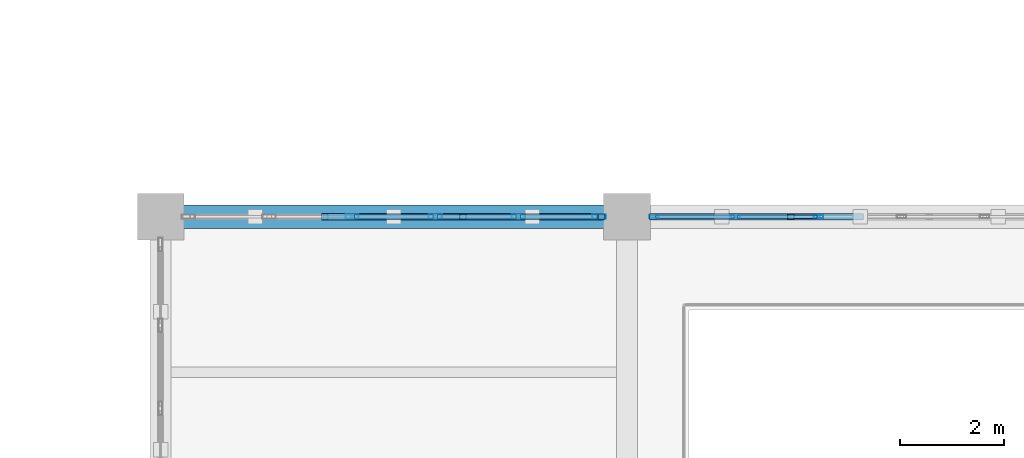
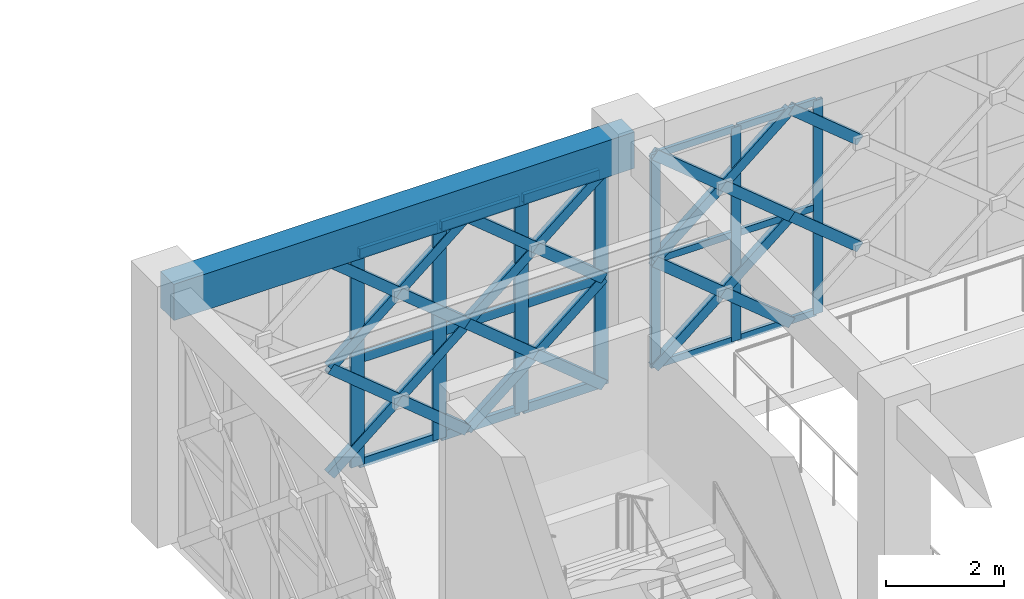
# One storey, part 59 of 155: 42 members, 1 beam, 2 elements without a shape of their own.
"""IFC4 building model written with IfcOpenShell, lengths in metres."""

from ifc_helpers import new_model, si_unit, direction, frame, origin, origin_2d, place, context, subcontext, project, spatial, rectangle, hollow_rectangle, extrude, material, material_profile, profile_set, type_object, element, aggregate, save


model = new_model("IFC4")

# Units and contexts
model_context = context("Model", 3, precision=1e-05, world=origin(), true_north=direction((0.0, 1.0)))
body_context = subcontext(model_context, "Body", "Model", "MODEL_VIEW")
ifc_project = project(units=[si_unit("LENGTHUNIT", "METRE"), si_unit("AREAUNIT", "SQUARE_METRE"), si_unit("VOLUMEUNIT", "CUBIC_METRE"), si_unit("PLANEANGLEUNIT", "RADIAN"), si_unit("MASSUNIT", "GRAM", prefix="KILO")], contexts=[model_context])

# Site, building, storey
site_placement = place(None, origin())
site = spatial("IfcSite", under=ifc_project, at=site_placement, CompositionType="ELEMENT")
building_placement = place(site_placement, origin())
building = spatial("IfcBuilding", under=site, at=building_placement, Name="Haizhuo Lancet Aquarium", CompositionType="ELEMENT")
storey_placement = place(building_placement, frame((0.0, 0.0, 10.800048828125)))
storey = spatial("IfcBuildingStorey", under=building, at=storey_placement, Name="L02", CompositionType="ELEMENT", Elevation=10.800048828125)

# Beam
ifc_material_1 = material(Name="Concrete C40/50", Category="concrete")
ifc_material_profile_1 = material_profile(ifc_material_1, rectangle(XDim=0.449951171875, YDim=0.75, at=origin_2d()), Name="RC-BM 450x750")
ifc_profile_set_1 = profile_set([ifc_material_profile_1], Name="Concrete C40/50")
beam_type = type_object("IfcBeamType", Name="BM-RC-450x750", PredefinedType="BEAM", material=ifc_profile_set_1)
beam_placement = place(storey_placement, frame((27.0, -9.0, 4.784912109375), z_axis=(1.0, 0.0, 0.0), x_axis=(0.0, 1.0, 0.0)))
element("IfcBeam", 1, at=beam_placement, inside=storey, type_object=beam_type, Name="L02 V3 primary girder BM-L02-V3-006", PredefinedType="BEAM", context=body_context, shape_type="SweptSolid", body=[
    extrude(rectangle(XDim=0.449951171875, YDim=0.75, at=origin_2d()), origin(), (0.0, 0.0, 1.0), 9.0),
])

# Curtain wall, members
ifc_material_2 = material(Name="Aluminium 6063-T6", Category="aluminium")
curtain_wall_type = type_object("IfcCurtainWallType", Name="CWO-8010x4410", PredefinedType="NOTDEFINED", material=ifc_material_2)
curtain_wall_1_placement = place(storey_placement, origin())
curtain_wall_1 = element("IfcCurtainWall", 2, at=curtain_wall_1_placement, inside=storey, type_object=curtain_wall_type, Name="L02 curtain wall CW-V3-L02-052", PredefinedType="NOTDEFINED")
ifc_material_profile_2 = material_profile(ifc_material_2, hollow_rectangle(XDim=0.06494140625, YDim=0.179931640625, WallThickness=0.00390625, at=origin_2d()), Name="ALU-M 65x180x4")
ifc_profile_set_2 = profile_set([ifc_material_profile_2], Name="Aluminium 6063-T6")
member_type_1 = type_object("IfcMemberType", Name="CW-MUL-1", PredefinedType="MULLION", material=ifc_profile_set_2)
member_1_placement = place(storey_placement, frame((36.527099609375, -9.0, 0.0), z_axis=(0.0, 0.0, 1.0), x_axis=(0.0, 1.0, 0.0)))
member_1 = element("IfcMember", 3, at=member_1_placement, type_object=member_type_1, Name="CWO-80x44 mullion 1", PredefinedType="MULLION", context=body_context, shape_type="SweptSolid", body=[
    extrude(hollow_rectangle(XDim=0.06494140625, YDim=0.179931640625, WallThickness=0.00390625, at=origin_2d()), origin(), (0.0, 0.0, 1.0), 4.409912109375),
])
member_2_placement = place(storey_placement, frame((38.096923828125, -9.0, 0.0), z_axis=(0.0, 0.0, 1.0), x_axis=(0.0, 1.0, 0.0)))
member_2 = element("IfcMember", 4, at=member_2_placement, type_object=member_type_1, Name="CWO-80x44 mullion 2", PredefinedType="MULLION", context=body_context, shape_type="SweptSolid", body=[
    extrude(hollow_rectangle(XDim=0.06494140625, YDim=0.179931640625, WallThickness=0.00390625, at=origin_2d()), origin(), (0.0, 0.0, 1.0), 4.409912109375),
])
member_3_placement = place(storey_placement, frame((39.698974609375, -9.0, 0.0), z_axis=(0.0, 0.0, 1.0), x_axis=(0.0, 1.0, 0.0)))
member_3 = element("IfcMember", 5, at=member_3_placement, type_object=member_type_1, Name="CWO-80x44 mullion 3", PredefinedType="MULLION", context=body_context, shape_type="SweptSolid", body=[
    extrude(hollow_rectangle(XDim=0.06494140625, YDim=0.179931640625, WallThickness=0.00390625, at=origin_2d()), origin(), (0.0, 0.0, 1.0), 4.409912109375),
])

curtain_wall_2_placement = place(storey_placement, origin())
curtain_wall_2 = element("IfcCurtainWall", 6, at=curtain_wall_2_placement, inside=storey, type_object=curtain_wall_type, Name="L02 curtain wall CW-V3-L02-051", PredefinedType="NOTDEFINED")
ifc_material_profile_3 = material_profile(ifc_material_2, hollow_rectangle(XDim=0.080078125, YDim=0.260009765625, WallThickness=0.0048828125, at=origin_2d()), Name="ALU-M 80x260x5")
ifc_profile_set_3 = profile_set([ifc_material_profile_3], Name="Aluminium 6063-T6")
member_type_2 = type_object("IfcMemberType", Name="CW-MUL-3", PredefinedType="MULLION", material=ifc_profile_set_3)
member_4_placement = place(storey_placement, frame((30.698974609375, -9.0, 0.0), z_axis=(0.0, 0.0, 1.0), x_axis=(0.0, 1.0, 0.0)))
member_4 = element("IfcMember", 7, at=member_4_placement, type_object=member_type_2, Name="CWO-80x44 mullion 3", PredefinedType="MULLION", context=body_context, shape_type="SweptSolid", body=[
    extrude(hollow_rectangle(XDim=0.080078125, YDim=0.260009765625, WallThickness=0.0048828125, at=origin_2d()), origin(), (0.0, 0.0, 1.0), 4.409912109375),
])
member_5_placement = place(storey_placement, frame((32.301025390625, -9.0, 0.0), z_axis=(0.0, 0.0, 1.0), x_axis=(0.0, 1.0, 0.0)))
member_5 = element("IfcMember", 8, at=member_5_placement, type_object=member_type_2, Name="CWO-80x44 mullion 4", PredefinedType="MULLION", context=body_context, shape_type="SweptSolid", body=[
    extrude(hollow_rectangle(XDim=0.080078125, YDim=0.260009765625, WallThickness=0.0048828125, at=origin_2d()), origin(), (0.0, 0.0, 1.0), 4.409912109375),
])
member_6_placement = place(storey_placement, frame((33.903076171875, -9.0, 0.0), z_axis=(0.0, 0.0, 1.0), x_axis=(0.0, 1.0, 0.0)))
member_6 = element("IfcMember", 9, at=member_6_placement, type_object=member_type_2, Name="CWO-80x44 mullion 5", PredefinedType="MULLION", context=body_context, shape_type="SweptSolid", body=[
    extrude(hollow_rectangle(XDim=0.080078125, YDim=0.260009765625, WallThickness=0.0048828125, at=origin_2d()), origin(), (0.0, 0.0, 1.0), 4.409912109375),
])
member_7_placement = place(storey_placement, frame((35.465087890625, -9.0, 0.0), z_axis=(0.0, 0.0, 1.0), x_axis=(0.0, 1.0, 0.0)))
member_7 = element("IfcMember", 10, at=member_7_placement, type_object=member_type_2, Name="CWO-80x44 mullion 6", PredefinedType="MULLION", context=body_context, shape_type="SweptSolid", body=[
    extrude(hollow_rectangle(XDim=0.080078125, YDim=0.260009765625, WallThickness=0.0048828125, at=origin_2d()), origin(), (0.0, 0.0, 1.0), 4.409912109375),
])

# Member
ifc_material_profile_4 = material_profile(ifc_material_2, hollow_rectangle(XDim=0.06494140625, YDim=0.139892578125, WallThickness=0.00390625, at=origin_2d()), Name="ALU-T 65x140x4")
ifc_profile_set_4 = profile_set([ifc_material_profile_4], Name="Aluminium 6063-T6")
member_type_3 = type_object("IfcMemberType", Name="CW-TRN-1", PredefinedType="NOTDEFINED", material=ifc_profile_set_4)
member_8_placement = place(storey_placement, frame((36.56005859375, -9.0, 0.032958984375), z_axis=(1.0, 0.0, 0.0), x_axis=(0.0, 1.0, 0.0)))
member_8 = element("IfcMember", 11, at=member_8_placement, type_object=member_type_3, Name="CWO-80x44 transom 1.1", ObjectType="TRANSOM", PredefinedType="USERDEFINED", context=body_context, shape_type="SweptSolid", body=[
    extrude(hollow_rectangle(XDim=0.06494140625, YDim=0.139892578125, WallThickness=0.00390625, at=origin_2d()), origin(), (0.0, 0.0, 1.0), 1.50390625),
])

member_9_placement = place(storey_placement, frame((36.56005859375, -9.0, 2.204833984375), z_axis=(1.0, 0.0, 0.0), x_axis=(0.0, 1.0, 0.0)))
member_9 = element("IfcMember", 12, at=member_9_placement, type_object=member_type_3, Name="CWO-80x44 transom 1.2", ObjectType="TRANSOM", PredefinedType="USERDEFINED", context=body_context, shape_type="SweptSolid", body=[
    extrude(hollow_rectangle(XDim=0.06494140625, YDim=0.139892578125, WallThickness=0.00390625, at=origin_2d()), origin(), (0.0, 0.0, 1.0), 1.50390625),
])

member_10_placement = place(storey_placement, frame((36.56005859375, -9.0, 4.3779296875), z_axis=(1.0, 0.0, 0.0), x_axis=(0.0, 1.0, 0.0)))
member_10 = element("IfcMember", 13, at=member_10_placement, type_object=member_type_3, Name="CWO-80x44 transom 1.3", ObjectType="TRANSOM", PredefinedType="USERDEFINED", context=body_context, shape_type="SweptSolid", body=[
    extrude(hollow_rectangle(XDim=0.06494140625, YDim=0.139892578125, WallThickness=0.00390625, at=origin_2d()), origin(), (0.0, 0.0, 1.0), 1.50390625),
])

member_11_placement = place(storey_placement, frame((38.1298828125, -9.0, 0.032958984375), z_axis=(1.0, 0.0, 0.0), x_axis=(0.0, 1.0, 0.0)))
member_11 = element("IfcMember", 14, at=member_11_placement, type_object=member_type_3, Name="CWO-80x44 transom 2.1", ObjectType="TRANSOM", PredefinedType="USERDEFINED", context=body_context, shape_type="SweptSolid", body=[
    extrude(hollow_rectangle(XDim=0.06494140625, YDim=0.139892578125, WallThickness=0.00390625, at=origin_2d()), origin(), (0.0, 0.0, 1.0), 1.5361328125),
])

member_12_placement = place(storey_placement, frame((38.1298828125, -9.0, 2.204833984375), z_axis=(1.0, 0.0, 0.0), x_axis=(0.0, 1.0, 0.0)))
member_12 = element("IfcMember", 15, at=member_12_placement, type_object=member_type_3, Name="CWO-80x44 transom 2.2", ObjectType="TRANSOM", PredefinedType="USERDEFINED", context=body_context, shape_type="SweptSolid", body=[
    extrude(hollow_rectangle(XDim=0.06494140625, YDim=0.139892578125, WallThickness=0.00390625, at=origin_2d()), origin(), (0.0, 0.0, 1.0), 1.5361328125),
])

member_13_placement = place(storey_placement, frame((38.1298828125, -9.0, 4.3779296875), z_axis=(1.0, 0.0, 0.0), x_axis=(0.0, 1.0, 0.0)))
member_13 = element("IfcMember", 16, at=member_13_placement, type_object=member_type_3, Name="CWO-80x44 transom 2.3", ObjectType="TRANSOM", PredefinedType="USERDEFINED", context=body_context, shape_type="SweptSolid", body=[
    extrude(hollow_rectangle(XDim=0.06494140625, YDim=0.139892578125, WallThickness=0.00390625, at=origin_2d()), origin(), (0.0, 0.0, 1.0), 1.5361328125),
])

aggregate(curtain_wall_1, [member_1, member_2, member_3, member_8, member_9, member_10, member_11, member_12, member_13])

ifc_material_profile_5 = material_profile(ifc_material_2, hollow_rectangle(XDim=0.080078125, YDim=0.18994140625, WallThickness=0.0048828125, at=origin_2d()), Name="ALU-T 80x190x5")
ifc_profile_set_5 = profile_set([ifc_material_profile_5], Name="Aluminium 6063-T6")
member_type_4 = type_object("IfcMemberType", Name="CW-TRN-3", PredefinedType="NOTDEFINED", material=ifc_profile_set_5)
member_14_placement = place(storey_placement, frame((30.739013671875, -9.0, 0.0400390625), z_axis=(1.0, 0.0, 0.0), x_axis=(0.0, 1.0, 0.0)))
member_14 = element("IfcMember", 17, at=member_14_placement, type_object=member_type_4, Name="CWO-80x44 transom 3.1", ObjectType="TRANSOM", PredefinedType="USERDEFINED", context=body_context, shape_type="SweptSolid", body=[
    extrude(hollow_rectangle(XDim=0.080078125, YDim=0.18994140625, WallThickness=0.0048828125, at=origin_2d()), origin(), (0.0, 0.0, 1.0), 1.52197265625),
])

member_15_placement = place(storey_placement, frame((30.739013671875, -9.0, 2.204833984375), z_axis=(1.0, 0.0, 0.0), x_axis=(0.0, 1.0, 0.0)))
member_15 = element("IfcMember", 18, at=member_15_placement, type_object=member_type_4, Name="CWO-80x44 transom 3.2", ObjectType="TRANSOM", PredefinedType="USERDEFINED", context=body_context, shape_type="SweptSolid", body=[
    extrude(hollow_rectangle(XDim=0.080078125, YDim=0.18994140625, WallThickness=0.0048828125, at=origin_2d()), origin(), (0.0, 0.0, 1.0), 1.52197265625),
])

member_16_placement = place(storey_placement, frame((30.739013671875, -9.0, 4.369873046875), z_axis=(1.0, 0.0, 0.0), x_axis=(0.0, 1.0, 0.0)))
member_16 = element("IfcMember", 19, at=member_16_placement, type_object=member_type_4, Name="CWO-80x44 transom 3.3", ObjectType="TRANSOM", PredefinedType="USERDEFINED", context=body_context, shape_type="SweptSolid", body=[
    extrude(hollow_rectangle(XDim=0.080078125, YDim=0.18994140625, WallThickness=0.0048828125, at=origin_2d()), origin(), (0.0, 0.0, 1.0), 1.52197265625),
])

member_17_placement = place(storey_placement, frame((32.341064453125, -9.0, 0.0400390625), z_axis=(1.0, 0.0, 0.0), x_axis=(0.0, 1.0, 0.0)))
member_17 = element("IfcMember", 20, at=member_17_placement, type_object=member_type_4, Name="CWO-80x44 transom 4.1", ObjectType="TRANSOM", PredefinedType="USERDEFINED", context=body_context, shape_type="SweptSolid", body=[
    extrude(hollow_rectangle(XDim=0.080078125, YDim=0.18994140625, WallThickness=0.0048828125, at=origin_2d()), origin(), (0.0, 0.0, 1.0), 1.52197265625),
])

member_18_placement = place(storey_placement, frame((32.341064453125, -9.0, 2.204833984375), z_axis=(1.0, 0.0, 0.0), x_axis=(0.0, 1.0, 0.0)))
member_18 = element("IfcMember", 21, at=member_18_placement, type_object=member_type_4, Name="CWO-80x44 transom 4.2", ObjectType="TRANSOM", PredefinedType="USERDEFINED", context=body_context, shape_type="SweptSolid", body=[
    extrude(hollow_rectangle(XDim=0.080078125, YDim=0.18994140625, WallThickness=0.0048828125, at=origin_2d()), origin(), (0.0, 0.0, 1.0), 1.52197265625),
])

member_19_placement = place(storey_placement, frame((32.341064453125, -9.0, 4.369873046875), z_axis=(1.0, 0.0, 0.0), x_axis=(0.0, 1.0, 0.0)))
member_19 = element("IfcMember", 22, at=member_19_placement, type_object=member_type_4, Name="CWO-80x44 transom 4.3", ObjectType="TRANSOM", PredefinedType="USERDEFINED", context=body_context, shape_type="SweptSolid", body=[
    extrude(hollow_rectangle(XDim=0.080078125, YDim=0.18994140625, WallThickness=0.0048828125, at=origin_2d()), origin(), (0.0, 0.0, 1.0), 1.52197265625),
])

member_20_placement = place(storey_placement, frame((33.943115234375, -9.0, 0.0400390625), z_axis=(1.0, 0.0, 0.0), x_axis=(0.0, 1.0, 0.0)))
member_20 = element("IfcMember", 23, at=member_20_placement, type_object=member_type_4, Name="CWO-80x44 transom 5.1", ObjectType="TRANSOM", PredefinedType="USERDEFINED", context=body_context, shape_type="SweptSolid", body=[
    extrude(hollow_rectangle(XDim=0.080078125, YDim=0.18994140625, WallThickness=0.0048828125, at=origin_2d()), origin(), (0.0, 0.0, 1.0), 1.48193359375),
])

member_21_placement = place(storey_placement, frame((33.943115234375, -9.0, 2.204833984375), z_axis=(1.0, 0.0, 0.0), x_axis=(0.0, 1.0, 0.0)))
member_21 = element("IfcMember", 24, at=member_21_placement, type_object=member_type_4, Name="CWO-80x44 transom 5.2", ObjectType="TRANSOM", PredefinedType="USERDEFINED", context=body_context, shape_type="SweptSolid", body=[
    extrude(hollow_rectangle(XDim=0.080078125, YDim=0.18994140625, WallThickness=0.0048828125, at=origin_2d()), origin(), (0.0, 0.0, 1.0), 1.48193359375),
])

member_22_placement = place(storey_placement, frame((33.943115234375, -9.0, 4.369873046875), z_axis=(1.0, 0.0, 0.0), x_axis=(0.0, 1.0, 0.0)))
member_22 = element("IfcMember", 25, at=member_22_placement, type_object=member_type_4, Name="CWO-80x44 transom 5.3", ObjectType="TRANSOM", PredefinedType="USERDEFINED", context=body_context, shape_type="SweptSolid", body=[
    extrude(hollow_rectangle(XDim=0.080078125, YDim=0.18994140625, WallThickness=0.0048828125, at=origin_2d()), origin(), (0.0, 0.0, 1.0), 1.48193359375),
])

aggregate(curtain_wall_2, [member_4, member_5, member_6, member_7, member_14, member_15, member_16, member_17, member_18, member_19, member_20, member_21, member_22])

# Members
ifc_material_3 = material(Name="Steel S355", Category="steel")
ifc_material_profile_6 = material_profile(ifc_material_3, hollow_rectangle(XDim=0.1201171875, YDim=0.199951171875, WallThickness=0.008056640625, at=origin_2d()), Name="RHS 120x200x8")
ifc_profile_set_6 = profile_set([ifc_material_profile_6], Name="Steel S355")
member_type_5 = type_object("IfcMemberType", Name="MEM-LB-RHS120x200", PredefinedType="BRACE", material=ifc_profile_set_6)
member_23_placement = place(storey_placement, frame((30.1650390625, -9.0, 0.0), z_axis=(0.771068610934, 0.0, 0.636752068887), x_axis=(0.0, 1.0, 0.0)))
element("IfcMember", 26, at=member_23_placement, inside=storey, type_object=member_type_5, Name="Gothic lancet continuous diagonal brace CW-V3-L02-051 3A", PredefinedType="BRACE", context=body_context, shape_type="SweptSolid", body=[
    extrude(hollow_rectangle(XDim=0.1201171875, YDim=0.199951171875, WallThickness=0.008056640625, at=origin_2d()), origin(), (0.0, 0.0, 1.0), 3.462646484375),
])
member_24_placement = place(storey_placement, frame((32.8349609375, -9.0, 0.0), z_axis=(-0.771172467693, 0.0, 0.63662628368), x_axis=(0.0, -1.0, 0.0)))
element("IfcMember", 27, at=member_24_placement, inside=storey, type_object=member_type_5, Name="Gothic lancet split diagonal brace CW-V3-L02-051 3B1", PredefinedType="BRACE", context=body_context, shape_type="SweptSolid", body=[
    extrude(hollow_rectangle(XDim=0.1201171875, YDim=0.199951171875, WallThickness=0.008056640625, at=origin_2d()), origin(), (0.0, 0.0, 1.0), 1.731201171875),
])
member_25_placement = place(storey_placement, frame((31.5, -9.0, 1.10205078125), z_axis=(-0.77096476164, 0.0, 0.636877803279), x_axis=(0.0, -1.0, 0.0)))
element("IfcMember", 28, at=member_25_placement, inside=storey, type_object=member_type_5, Name="Gothic lancet split diagonal brace CW-V3-L02-051 3B2", PredefinedType="BRACE", context=body_context, shape_type="SweptSolid", body=[
    extrude(hollow_rectangle(XDim=0.1201171875, YDim=0.199951171875, WallThickness=0.008056640625, at=origin_2d()), origin(), (0.0, 0.0, 1.0), 1.7314453125),
])
member_26_placement = place(storey_placement, frame((30.1650390625, -9.0, 2.204833984375), z_axis=(0.771033993673, 0.0, 0.636793985996), x_axis=(0.0, 1.0, 0.0)))
element("IfcMember", 29, at=member_26_placement, inside=storey, type_object=member_type_5, Name="Gothic lancet continuous diagonal brace CW-V3-L02-051 4A", PredefinedType="BRACE", context=body_context, shape_type="SweptSolid", body=[
    extrude(hollow_rectangle(XDim=0.1201171875, YDim=0.199951171875, WallThickness=0.008056640625, at=origin_2d()), origin(), (0.0, 0.0, 1.0), 3.462890625),
])
member_27_placement = place(storey_placement, frame((32.8349609375, -9.0, 2.204833984375), z_axis=(-0.770895532931, 0.0, 0.636961597985), x_axis=(0.0, -1.0, 0.0)))
element("IfcMember", 30, at=member_27_placement, inside=storey, type_object=member_type_5, Name="Gothic lancet split diagonal brace CW-V3-L02-051 4B1", PredefinedType="BRACE", context=body_context, shape_type="SweptSolid", body=[
    extrude(hollow_rectangle(XDim=0.1201171875, YDim=0.199951171875, WallThickness=0.008056640625, at=origin_2d()), origin(), (0.0, 0.0, 1.0), 1.731689453125),
])
member_28_placement = place(storey_placement, frame((31.5, -9.0, 3.307861328125), z_axis=(-0.771172467693, 0.0, 0.63662628368), x_axis=(0.0, -1.0, 0.0)))
element("IfcMember", 31, at=member_28_placement, inside=storey, type_object=member_type_5, Name="Gothic lancet split diagonal brace CW-V3-L02-051 4B2", PredefinedType="BRACE", context=body_context, shape_type="SweptSolid", body=[
    extrude(hollow_rectangle(XDim=0.1201171875, YDim=0.199951171875, WallThickness=0.008056640625, at=origin_2d()), origin(), (0.0, 0.0, 1.0), 1.731201171875),
])
member_29_placement = place(storey_placement, frame((32.8349609375, -9.0, 0.0), z_axis=(0.771068610934, 0.0, 0.636752068887), x_axis=(0.0, 1.0, 0.0)))
element("IfcMember", 32, at=member_29_placement, inside=storey, type_object=member_type_5, Name="Gothic lancet continuous diagonal brace CW-V3-L02-051 5A", PredefinedType="BRACE", context=body_context, shape_type="SweptSolid", body=[
    extrude(hollow_rectangle(XDim=0.1201171875, YDim=0.199951171875, WallThickness=0.008056640625, at=origin_2d()), origin(), (0.0, 0.0, 1.0), 3.462646484375),
])
member_30_placement = place(storey_placement, frame((35.5048828125, -9.0, 0.0), z_axis=(-0.771172467693, 0.0, 0.63662628368), x_axis=(0.0, -1.0, 0.0)))
element("IfcMember", 33, at=member_30_placement, inside=storey, type_object=member_type_5, Name="Gothic lancet split diagonal brace CW-V3-L02-051 5B1", PredefinedType="BRACE", context=body_context, shape_type="SweptSolid", body=[
    extrude(hollow_rectangle(XDim=0.1201171875, YDim=0.199951171875, WallThickness=0.008056640625, at=origin_2d()), origin(), (0.0, 0.0, 1.0), 1.731201171875),
])
member_31_placement = place(storey_placement, frame((34.169921875, -9.0, 1.10205078125), z_axis=(-0.77096476164, 0.0, 0.636877803279), x_axis=(0.0, -1.0, 0.0)))
element("IfcMember", 34, at=member_31_placement, inside=storey, type_object=member_type_5, Name="Gothic lancet split diagonal brace CW-V3-L02-051 5B2", PredefinedType="BRACE", context=body_context, shape_type="SweptSolid", body=[
    extrude(hollow_rectangle(XDim=0.1201171875, YDim=0.199951171875, WallThickness=0.008056640625, at=origin_2d()), origin(), (0.0, 0.0, 1.0), 1.7314453125),
])
member_32_placement = place(storey_placement, frame((32.8349609375, -9.0, 2.204833984375), z_axis=(0.771033993673, 0.0, 0.636793985996), x_axis=(0.0, 1.0, 0.0)))
element("IfcMember", 35, at=member_32_placement, inside=storey, type_object=member_type_5, Name="Gothic lancet continuous diagonal brace CW-V3-L02-051 6A", PredefinedType="BRACE", context=body_context, shape_type="SweptSolid", body=[
    extrude(hollow_rectangle(XDim=0.1201171875, YDim=0.199951171875, WallThickness=0.008056640625, at=origin_2d()), origin(), (0.0, 0.0, 1.0), 3.462890625),
])
member_33_placement = place(storey_placement, frame((35.5048828125, -9.0, 2.204833984375), z_axis=(-0.770895532931, 0.0, 0.636961597985), x_axis=(0.0, -1.0, 0.0)))
element("IfcMember", 36, at=member_33_placement, inside=storey, type_object=member_type_5, Name="Gothic lancet split diagonal brace CW-V3-L02-051 6B1", PredefinedType="BRACE", context=body_context, shape_type="SweptSolid", body=[
    extrude(hollow_rectangle(XDim=0.1201171875, YDim=0.199951171875, WallThickness=0.008056640625, at=origin_2d()), origin(), (0.0, 0.0, 1.0), 1.731689453125),
])
member_34_placement = place(storey_placement, frame((34.169921875, -9.0, 3.307861328125), z_axis=(-0.771172467693, 0.0, 0.63662628368), x_axis=(0.0, -1.0, 0.0)))
element("IfcMember", 37, at=member_34_placement, inside=storey, type_object=member_type_5, Name="Gothic lancet split diagonal brace CW-V3-L02-051 6B2", PredefinedType="BRACE", context=body_context, shape_type="SweptSolid", body=[
    extrude(hollow_rectangle(XDim=0.1201171875, YDim=0.199951171875, WallThickness=0.008056640625, at=origin_2d()), origin(), (0.0, 0.0, 1.0), 1.731201171875),
])
member_35_placement = place(storey_placement, frame((36.4951171875, -9.0, 0.0), z_axis=(0.771068610934, 0.0, 0.636752068887), x_axis=(0.0, 1.0, 0.0)))
element("IfcMember", 38, at=member_35_placement, inside=storey, type_object=member_type_5, Name="Gothic lancet continuous diagonal brace CW-V3-L02-052 1A", PredefinedType="BRACE", context=body_context, shape_type="SweptSolid", body=[
    extrude(hollow_rectangle(XDim=0.1201171875, YDim=0.199951171875, WallThickness=0.008056640625, at=origin_2d()), origin(), (0.0, 0.0, 1.0), 3.462646484375),
])
member_36_placement = place(storey_placement, frame((39.1650390625, -9.0, 0.0), z_axis=(-0.771172467693, 0.0, 0.63662628368), x_axis=(0.0, -1.0, 0.0)))
element("IfcMember", 39, at=member_36_placement, inside=storey, type_object=member_type_5, Name="Gothic lancet split diagonal brace CW-V3-L02-052 1B1", PredefinedType="BRACE", context=body_context, shape_type="SweptSolid", body=[
    extrude(hollow_rectangle(XDim=0.1201171875, YDim=0.199951171875, WallThickness=0.008056640625, at=origin_2d()), origin(), (0.0, 0.0, 1.0), 1.731201171875),
])
member_37_placement = place(storey_placement, frame((37.830078125, -9.0, 1.10205078125), z_axis=(-0.77096476164, 0.0, 0.636877803279), x_axis=(0.0, -1.0, 0.0)))
element("IfcMember", 40, at=member_37_placement, inside=storey, type_object=member_type_5, Name="Gothic lancet split diagonal brace CW-V3-L02-052 1B2", PredefinedType="BRACE", context=body_context, shape_type="SweptSolid", body=[
    extrude(hollow_rectangle(XDim=0.1201171875, YDim=0.199951171875, WallThickness=0.008056640625, at=origin_2d()), origin(), (0.0, 0.0, 1.0), 1.7314453125),
])
member_38_placement = place(storey_placement, frame((36.4951171875, -9.0, 2.204833984375), z_axis=(0.771033993673, 0.0, 0.636793985996), x_axis=(0.0, 1.0, 0.0)))
element("IfcMember", 41, at=member_38_placement, inside=storey, type_object=member_type_5, Name="Gothic lancet continuous diagonal brace CW-V3-L02-052 2A", PredefinedType="BRACE", context=body_context, shape_type="SweptSolid", body=[
    extrude(hollow_rectangle(XDim=0.1201171875, YDim=0.199951171875, WallThickness=0.008056640625, at=origin_2d()), origin(), (0.0, 0.0, 1.0), 3.462890625),
])
member_39_placement = place(storey_placement, frame((39.1650390625, -9.0, 2.204833984375), z_axis=(-0.770895532931, 0.0, 0.636961597985), x_axis=(0.0, -1.0, 0.0)))
element("IfcMember", 42, at=member_39_placement, inside=storey, type_object=member_type_5, Name="Gothic lancet split diagonal brace CW-V3-L02-052 2B1", PredefinedType="BRACE", context=body_context, shape_type="SweptSolid", body=[
    extrude(hollow_rectangle(XDim=0.1201171875, YDim=0.199951171875, WallThickness=0.008056640625, at=origin_2d()), origin(), (0.0, 0.0, 1.0), 1.731689453125),
])
member_40_placement = place(storey_placement, frame((37.830078125, -9.0, 3.307861328125), z_axis=(-0.771172467693, 0.0, 0.63662628368), x_axis=(0.0, -1.0, 0.0)))
element("IfcMember", 43, at=member_40_placement, inside=storey, type_object=member_type_5, Name="Gothic lancet split diagonal brace CW-V3-L02-052 2B2", PredefinedType="BRACE", context=body_context, shape_type="SweptSolid", body=[
    extrude(hollow_rectangle(XDim=0.1201171875, YDim=0.199951171875, WallThickness=0.008056640625, at=origin_2d()), origin(), (0.0, 0.0, 1.0), 1.731201171875),
])
member_41_placement = place(storey_placement, frame((40.5, -9.0, 1.10205078125), z_axis=(-0.77096476164, 0.0, 0.636877803279), x_axis=(0.0, -1.0, 0.0)))
element("IfcMember", 44, at=member_41_placement, inside=storey, type_object=member_type_5, Name="Gothic lancet split diagonal brace CW-V3-L02-052 3B2", PredefinedType="BRACE", context=body_context, shape_type="SweptSolid", body=[
    extrude(hollow_rectangle(XDim=0.1201171875, YDim=0.199951171875, WallThickness=0.008056640625, at=origin_2d()), origin(), (0.0, 0.0, 1.0), 1.7314453125),
])
member_42_placement = place(storey_placement, frame((40.5, -9.0, 3.307861328125), z_axis=(-0.771172467693, 0.0, 0.63662628368), x_axis=(0.0, -1.0, 0.0)))
element("IfcMember", 45, at=member_42_placement, inside=storey, type_object=member_type_5, Name="Gothic lancet split diagonal brace CW-V3-L02-052 4B2", PredefinedType="BRACE", context=body_context, shape_type="SweptSolid", body=[
    extrude(hollow_rectangle(XDim=0.1201171875, YDim=0.199951171875, WallThickness=0.008056640625, at=origin_2d()), origin(), (0.0, 0.0, 1.0), 1.731201171875),
])

save(model, "model.ifc")
